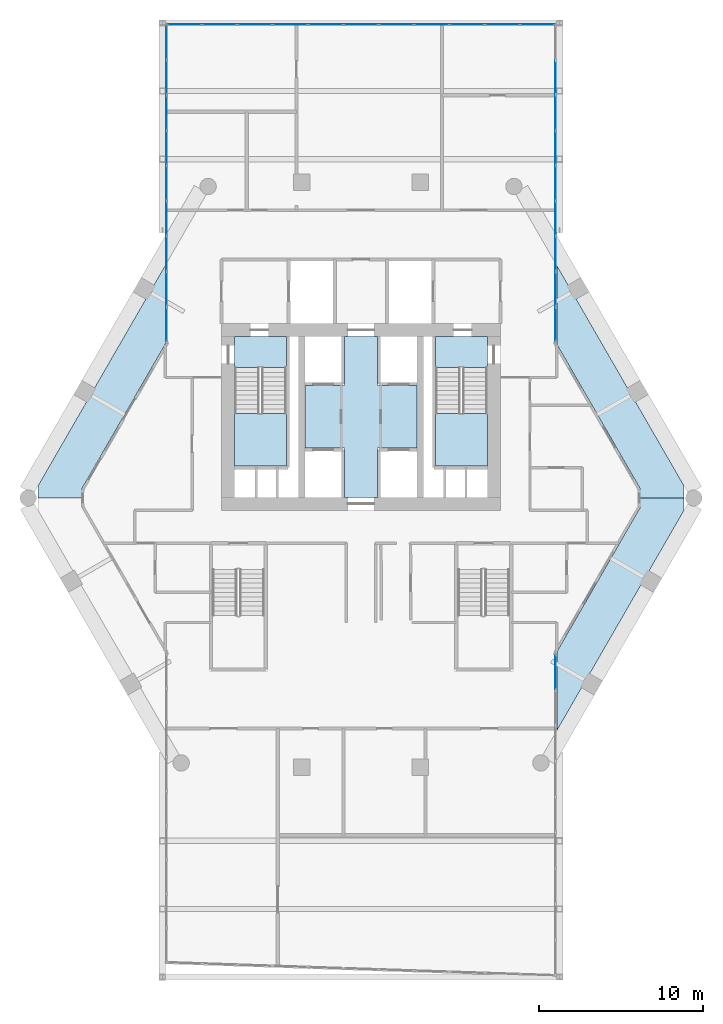
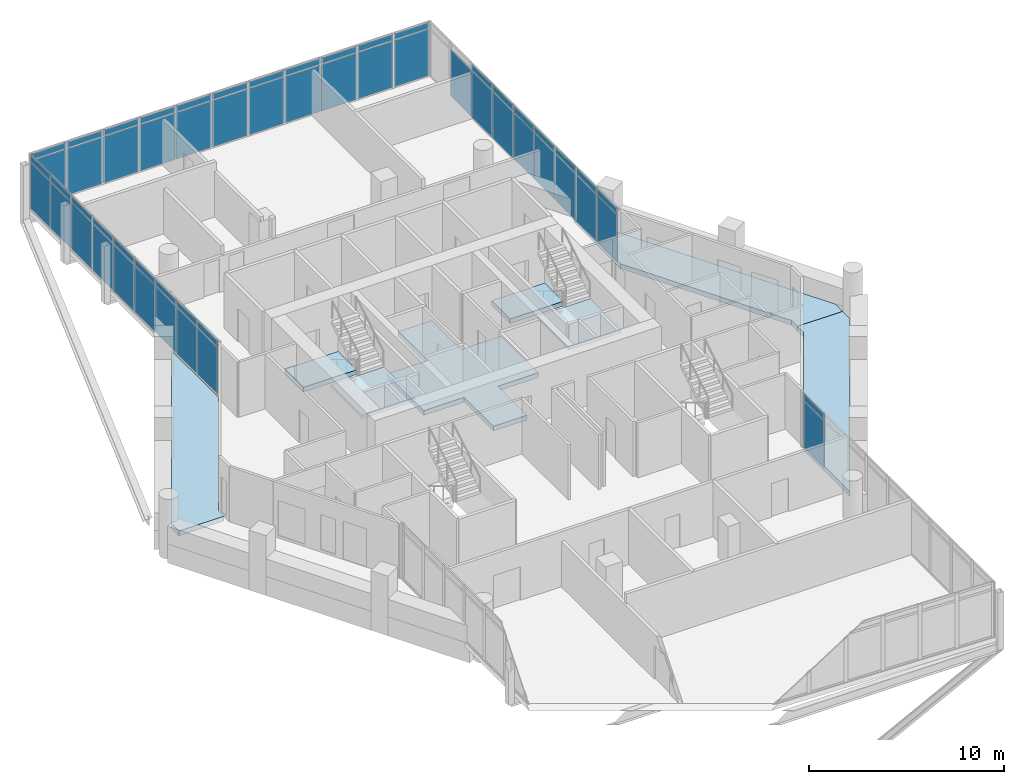
# One storey, part 30 of 38: 57 plates, 8 slabs, 6 elements without a shape of their own.
"""IFC4 building model written with IfcOpenShell, lengths in metres."""

from ifc_helpers import new_model, si_unit, direction, frame, origin, origin_2d, place, context, subcontext, project, spatial, polyline, rectangle, outline, extrude, material, layer, layer_set, type_object, element, aggregate, save


model = new_model("IFC4")

# Units and contexts
model_context = context("Model", 3, precision=1e-05, world=origin(), true_north=direction((0.0, 1.0)))
body_context = subcontext(model_context, "Body", "Model", "MODEL_VIEW")
ifc_project = project(units=[si_unit("LENGTHUNIT", "METRE"), si_unit("AREAUNIT", "SQUARE_METRE"), si_unit("VOLUMEUNIT", "CUBIC_METRE"), si_unit("PLANEANGLEUNIT", "RADIAN"), si_unit("MASSUNIT", "GRAM", prefix="KILO")], contexts=[model_context])

# Site, building, storey
site_placement = place(None, origin())
site = spatial("IfcSite", under=ifc_project, at=site_placement, CompositionType="ELEMENT")
building_placement = place(site_placement, origin())
building = spatial("IfcBuilding", under=site, at=building_placement, Name="Ostrander Bayou Hotel Tower", CompositionType="ELEMENT")
storey_placement = place(building_placement, frame((0.0, 0.0, 194.5)))
storey = spatial("IfcBuildingStorey", under=building, at=storey_placement, Name="L48", CompositionType="ELEMENT", Elevation=194.5)

# Curtain wall, plates
ifc_material_1 = material(Name="Aluminium and clear glass", Category="aluminium")
curtain_wall_type = type_object("IfcCurtainWallType", Name="CW-BAR glazed wall", PredefinedType="NOTDEFINED", material=ifc_material_1)
curtain_wall_1_placement = place(storey_placement, origin())
curtain_wall_1 = element("IfcCurtainWall", 1, at=curtain_wall_1_placement, inside=storey, type_object=curtain_wall_type, Name="CW-BAR L48:SB4S:W", PredefinedType="NOTDEFINED")
ifc_material_2 = material(Name="Clear laminated glass", Category="glass")
ifc_layer_1 = layer(ifc_material_2, 0.028076171875)
ifc_layer_set_1 = layer_set([ifc_layer_1], Name="CW-BR glazing panel 28 mm")
plate_type = type_object("IfcPlateType", Name="CW-BR glazing panel 28 mm", PredefinedType="CURTAIN_PANEL", material=ifc_layer_set_1)
plate_1_placement = place(storey_placement, frame((11.857177734375, -11.565673828125, 0.06005859375), z_axis=(0.0, 0.0, 1.0), x_axis=(0.0, -1.0, 0.0)))
plate_1 = element("IfcPlate", 2, at=plate_1_placement, type_object=plate_type, Name="CW-BAR panel 1.1", PredefinedType="CURTAIN_PANEL", context=body_context, shape_type="SweptSolid", body=[
    extrude(rectangle(XDim=2.086181640625, YDim=0.028076171875, at=origin_2d()), origin(), (0.0, 0.0, 1.0), 2.909912109375),
])
plate_2_placement = place(storey_placement, frame((11.857177734375, -11.565673828125, 3.02978515625), z_axis=(0.0, 0.0, 1.0), x_axis=(0.0, -1.0, 0.0)))
plate_2 = element("IfcPlate", 3, at=plate_2_placement, type_object=plate_type, Name="CW-BAR panel 1.2", PredefinedType="CURTAIN_PANEL", context=body_context, shape_type="SweptSolid", body=[
    extrude(rectangle(XDim=2.086181640625, YDim=0.028076171875, at=origin_2d()), origin(), (0.0, 0.0, 1.0), 0.360107421875),
])
aggregate(curtain_wall_1, [plate_1, plate_2])

curtain_wall_2_placement = place(storey_placement, origin())
curtain_wall_2 = element("IfcCurtainWall", 4, at=curtain_wall_2_placement, inside=storey, type_object=curtain_wall_type, Name="CW-BAR L48:SB4N:E", PredefinedType="NOTDEFINED")
plate_3_placement = place(storey_placement, frame((-11.857177734375, 9.654541015625, 0.06005859375), z_axis=(0.0, 0.0, 1.0), x_axis=(0.0, 1.0, 0.0)))
plate_3 = element("IfcPlate", 5, at=plate_3_placement, type_object=plate_type, Name="CW-BAR panel 1.1", PredefinedType="CURTAIN_PANEL", context=body_context, shape_type="SweptSolid", body=[
    extrude(rectangle(XDim=2.060302734375, YDim=0.028076171875, at=origin_2d()), origin(), (0.0, 0.0, 1.0), 2.909912109375),
])
plate_4_placement = place(storey_placement, frame((-11.857177734375, 9.654541015625, 3.02978515625), z_axis=(0.0, 0.0, 1.0), x_axis=(0.0, 1.0, 0.0)))
plate_4 = element("IfcPlate", 6, at=plate_4_placement, type_object=plate_type, Name="CW-BAR panel 1.2", PredefinedType="CURTAIN_PANEL", context=body_context, shape_type="SweptSolid", body=[
    extrude(rectangle(XDim=2.060302734375, YDim=0.028076171875, at=origin_2d()), origin(), (0.0, 0.0, 1.0), 0.360107421875),
])
plate_5_placement = place(storey_placement, frame((-11.857177734375, 11.789794921875, 0.06005859375), z_axis=(0.0, 0.0, 1.0), x_axis=(0.0, 1.0, 0.0)))
plate_5 = element("IfcPlate", 7, at=plate_5_placement, type_object=plate_type, Name="CW-BAR panel 2.1", PredefinedType="CURTAIN_PANEL", context=body_context, shape_type="SweptSolid", body=[
    extrude(rectangle(XDim=2.090087890625, YDim=0.028076171875, at=origin_2d()), origin(), (0.0, 0.0, 1.0), 2.909912109375),
])
plate_6_placement = place(storey_placement, frame((-11.857177734375, 11.789794921875, 3.02978515625), z_axis=(0.0, 0.0, 1.0), x_axis=(0.0, 1.0, 0.0)))
plate_6 = element("IfcPlate", 8, at=plate_6_placement, type_object=plate_type, Name="CW-BAR panel 2.2", PredefinedType="CURTAIN_PANEL", context=body_context, shape_type="SweptSolid", body=[
    extrude(rectangle(XDim=2.090087890625, YDim=0.028076171875, at=origin_2d()), origin(), (0.0, 0.0, 1.0), 0.360107421875),
])
plate_7_placement = place(storey_placement, frame((-11.857177734375, 13.93994140625, 0.06005859375), z_axis=(0.0, 0.0, 1.0), x_axis=(0.0, 1.0, 0.0)))
plate_7 = element("IfcPlate", 9, at=plate_7_placement, type_object=plate_type, Name="CW-BAR panel 3.1", PredefinedType="CURTAIN_PANEL", context=body_context, shape_type="SweptSolid", body=[
    extrude(rectangle(XDim=2.090087890625, YDim=0.028076171875, at=origin_2d()), origin(), (0.0, 0.0, 1.0), 2.909912109375),
])
plate_8_placement = place(storey_placement, frame((-11.857177734375, 13.93994140625, 3.02978515625), z_axis=(0.0, 0.0, 1.0), x_axis=(0.0, 1.0, 0.0)))
plate_8 = element("IfcPlate", 10, at=plate_8_placement, type_object=plate_type, Name="CW-BAR panel 3.2", PredefinedType="CURTAIN_PANEL", context=body_context, shape_type="SweptSolid", body=[
    extrude(rectangle(XDim=2.090087890625, YDim=0.028076171875, at=origin_2d()), origin(), (0.0, 0.0, 1.0), 0.360107421875),
])
plate_9_placement = place(storey_placement, frame((-11.857177734375, 16.090087890625, 0.06005859375), z_axis=(0.0, 0.0, 1.0), x_axis=(0.0, 1.0, 0.0)))
plate_9 = element("IfcPlate", 11, at=plate_9_placement, type_object=plate_type, Name="CW-BAR panel 4.1", PredefinedType="CURTAIN_PANEL", context=body_context, shape_type="SweptSolid", body=[
    extrude(rectangle(XDim=2.090087890625, YDim=0.028076171875, at=origin_2d()), origin(), (0.0, 0.0, 1.0), 2.909912109375),
])
plate_10_placement = place(storey_placement, frame((-11.857177734375, 16.090087890625, 3.02978515625), z_axis=(0.0, 0.0, 1.0), x_axis=(0.0, 1.0, 0.0)))
plate_10 = element("IfcPlate", 12, at=plate_10_placement, type_object=plate_type, Name="CW-BAR panel 4.2", PredefinedType="CURTAIN_PANEL", context=body_context, shape_type="SweptSolid", body=[
    extrude(rectangle(XDim=2.090087890625, YDim=0.028076171875, at=origin_2d()), origin(), (0.0, 0.0, 1.0), 0.360107421875),
])
plate_11_placement = place(storey_placement, frame((-11.857177734375, 18.240234375, 0.06005859375), z_axis=(0.0, 0.0, 1.0), x_axis=(0.0, 1.0, 0.0)))
plate_11 = element("IfcPlate", 13, at=plate_11_placement, type_object=plate_type, Name="CW-BAR panel 5.1", PredefinedType="CURTAIN_PANEL", context=body_context, shape_type="SweptSolid", body=[
    extrude(rectangle(XDim=2.090087890625, YDim=0.028076171875, at=origin_2d()), origin(), (0.0, 0.0, 1.0), 2.909912109375),
])
plate_12_placement = place(storey_placement, frame((-11.857177734375, 18.240234375, 3.02978515625), z_axis=(0.0, 0.0, 1.0), x_axis=(0.0, 1.0, 0.0)))
plate_12 = element("IfcPlate", 14, at=plate_12_placement, type_object=plate_type, Name="CW-BAR panel 5.2", PredefinedType="CURTAIN_PANEL", context=body_context, shape_type="SweptSolid", body=[
    extrude(rectangle(XDim=2.090087890625, YDim=0.028076171875, at=origin_2d()), origin(), (0.0, 0.0, 1.0), 0.360107421875),
])
plate_13_placement = place(storey_placement, frame((-11.857177734375, 20.390380859375, 0.06005859375), z_axis=(0.0, 0.0, 1.0), x_axis=(0.0, 1.0, 0.0)))
plate_13 = element("IfcPlate", 15, at=plate_13_placement, type_object=plate_type, Name="CW-BAR panel 6.1", PredefinedType="CURTAIN_PANEL", context=body_context, shape_type="SweptSolid", body=[
    extrude(rectangle(XDim=2.090087890625, YDim=0.028076171875, at=origin_2d()), origin(), (0.0, 0.0, 1.0), 2.909912109375),
])
plate_14_placement = place(storey_placement, frame((-11.857177734375, 20.390380859375, 3.02978515625), z_axis=(0.0, 0.0, 1.0), x_axis=(0.0, 1.0, 0.0)))
plate_14 = element("IfcPlate", 16, at=plate_14_placement, type_object=plate_type, Name="CW-BAR panel 6.2", PredefinedType="CURTAIN_PANEL", context=body_context, shape_type="SweptSolid", body=[
    extrude(rectangle(XDim=2.090087890625, YDim=0.028076171875, at=origin_2d()), origin(), (0.0, 0.0, 1.0), 0.360107421875),
])
plate_15_placement = place(storey_placement, frame((-11.857177734375, 22.54052734375, 0.06005859375), z_axis=(0.0, 0.0, 1.0), x_axis=(0.0, 1.0, 0.0)))
plate_15 = element("IfcPlate", 17, at=plate_15_placement, type_object=plate_type, Name="CW-BAR panel 7.1", PredefinedType="CURTAIN_PANEL", context=body_context, shape_type="SweptSolid", body=[
    extrude(rectangle(XDim=2.090087890625, YDim=0.028076171875, at=origin_2d()), origin(), (0.0, 0.0, 1.0), 2.909912109375),
])
plate_16_placement = place(storey_placement, frame((-11.857177734375, 22.54052734375, 3.02978515625), z_axis=(0.0, 0.0, 1.0), x_axis=(0.0, 1.0, 0.0)))
plate_16 = element("IfcPlate", 18, at=plate_16_placement, type_object=plate_type, Name="CW-BAR panel 7.2", PredefinedType="CURTAIN_PANEL", context=body_context, shape_type="SweptSolid", body=[
    extrude(rectangle(XDim=2.090087890625, YDim=0.028076171875, at=origin_2d()), origin(), (0.0, 0.0, 1.0), 0.360107421875),
])
plate_17_placement = place(storey_placement, frame((-11.857177734375, 24.69091796875, 0.06005859375), z_axis=(0.0, 0.0, 1.0), x_axis=(0.0, 1.0, 0.0)))
plate_17 = element("IfcPlate", 19, at=plate_17_placement, type_object=plate_type, Name="CW-BAR panel 8.1", PredefinedType="CURTAIN_PANEL", context=body_context, shape_type="SweptSolid", body=[
    extrude(rectangle(XDim=2.090087890625, YDim=0.028076171875, at=origin_2d()), origin(), (0.0, 0.0, 1.0), 2.909912109375),
])
plate_18_placement = place(storey_placement, frame((-11.857177734375, 24.69091796875, 3.02978515625), z_axis=(0.0, 0.0, 1.0), x_axis=(0.0, 1.0, 0.0)))
plate_18 = element("IfcPlate", 20, at=plate_18_placement, type_object=plate_type, Name="CW-BAR panel 8.2", PredefinedType="CURTAIN_PANEL", context=body_context, shape_type="SweptSolid", body=[
    extrude(rectangle(XDim=2.090087890625, YDim=0.028076171875, at=origin_2d()), origin(), (0.0, 0.0, 1.0), 0.360107421875),
])
plate_19_placement = place(storey_placement, frame((-11.857177734375, 26.825927734375, 0.06005859375), z_axis=(0.0, 0.0, 1.0), x_axis=(0.0, 1.0, 0.0)))
plate_19 = element("IfcPlate", 21, at=plate_19_placement, type_object=plate_type, Name="CW-BAR panel 9.1", PredefinedType="CURTAIN_PANEL", context=body_context, shape_type="SweptSolid", body=[
    extrude(rectangle(XDim=2.060302734375, YDim=0.028076171875, at=origin_2d()), origin(), (0.0, 0.0, 1.0), 2.909912109375),
])
plate_20_placement = place(storey_placement, frame((-11.857177734375, 26.825927734375, 3.02978515625), z_axis=(0.0, 0.0, 1.0), x_axis=(0.0, 1.0, 0.0)))
plate_20 = element("IfcPlate", 22, at=plate_20_placement, type_object=plate_type, Name="CW-BAR panel 9.2", PredefinedType="CURTAIN_PANEL", context=body_context, shape_type="SweptSolid", body=[
    extrude(rectangle(XDim=2.060302734375, YDim=0.028076171875, at=origin_2d()), origin(), (0.0, 0.0, 1.0), 0.360107421875),
])
aggregate(curtain_wall_2, [plate_3, plate_4, plate_5, plate_6, plate_7, plate_8, plate_9, plate_10, plate_11, plate_12, plate_13, plate_14, plate_15, plate_16, plate_17, plate_18, plate_19, plate_20])

curtain_wall_3_placement = place(storey_placement, origin())
curtain_wall_3 = element("IfcCurtainWall", 23, at=curtain_wall_3_placement, inside=storey, type_object=curtain_wall_type, Name="CW-BAR L48:SB4N:T", PredefinedType="NOTDEFINED")
plate_21_placement = place(storey_placement, frame((-10.76416015625, 27.916015625, 0.06005859375), z_axis=(0.0, 0.0, 1.0), x_axis=(1.0, 0.0, 0.0)))
plate_21 = element("IfcPlate", 24, at=plate_21_placement, type_object=plate_type, Name="CW-BAR panel 1.1", PredefinedType="CURTAIN_PANEL", context=body_context, shape_type="SweptSolid", body=[
    extrude(rectangle(XDim=2.06591796875, YDim=0.028076171875, at=origin_2d()), origin(), (0.0, 0.0, 1.0), 2.909912109375),
])
plate_22_placement = place(storey_placement, frame((-10.76416015625, 27.916015625, 3.02978515625), z_axis=(0.0, 0.0, 1.0), x_axis=(1.0, 0.0, 0.0)))
plate_22 = element("IfcPlate", 25, at=plate_22_placement, type_object=plate_type, Name="CW-BAR panel 1.2", PredefinedType="CURTAIN_PANEL", context=body_context, shape_type="SweptSolid", body=[
    extrude(rectangle(XDim=2.06591796875, YDim=0.028076171875, at=origin_2d()), origin(), (0.0, 0.0, 1.0), 0.360107421875),
])
plate_23_placement = place(storey_placement, frame((-8.62353515625, 27.916015625, 0.06005859375), z_axis=(0.0, 0.0, 1.0), x_axis=(1.0, 0.0, 0.0)))
plate_23 = element("IfcPlate", 26, at=plate_23_placement, type_object=plate_type, Name="CW-BAR panel 2.1", PredefinedType="CURTAIN_PANEL", context=body_context, shape_type="SweptSolid", body=[
    extrude(rectangle(XDim=2.095947265625, YDim=0.028076171875, at=origin_2d()), origin(), (0.0, 0.0, 1.0), 2.909912109375),
])
plate_24_placement = place(storey_placement, frame((-8.62353515625, 27.916015625, 3.02978515625), z_axis=(0.0, 0.0, 1.0), x_axis=(1.0, 0.0, 0.0)))
plate_24 = element("IfcPlate", 27, at=plate_24_placement, type_object=plate_type, Name="CW-BAR panel 2.2", PredefinedType="CURTAIN_PANEL", context=body_context, shape_type="SweptSolid", body=[
    extrude(rectangle(XDim=2.095947265625, YDim=0.028076171875, at=origin_2d()), origin(), (0.0, 0.0, 1.0), 0.360107421875),
])
plate_25_placement = place(storey_placement, frame((-6.467529296875, 27.916015625, 0.06005859375), z_axis=(0.0, 0.0, 1.0), x_axis=(1.0, 0.0, 0.0)))
plate_25 = element("IfcPlate", 28, at=plate_25_placement, type_object=plate_type, Name="CW-BAR panel 3.1", PredefinedType="CURTAIN_PANEL", context=body_context, shape_type="SweptSolid", body=[
    extrude(rectangle(XDim=2.095947265625, YDim=0.028076171875, at=origin_2d()), origin(), (0.0, 0.0, 1.0), 2.909912109375),
])
plate_26_placement = place(storey_placement, frame((-6.467529296875, 27.916015625, 3.02978515625), z_axis=(0.0, 0.0, 1.0), x_axis=(1.0, 0.0, 0.0)))
plate_26 = element("IfcPlate", 29, at=plate_26_placement, type_object=plate_type, Name="CW-BAR panel 3.2", PredefinedType="CURTAIN_PANEL", context=body_context, shape_type="SweptSolid", body=[
    extrude(rectangle(XDim=2.095947265625, YDim=0.028076171875, at=origin_2d()), origin(), (0.0, 0.0, 1.0), 0.360107421875),
])
plate_27_placement = place(storey_placement, frame((-4.311767578125, 27.916015625, 0.06005859375), z_axis=(0.0, 0.0, 1.0), x_axis=(1.0, 0.0, 0.0)))
plate_27 = element("IfcPlate", 30, at=plate_27_placement, type_object=plate_type, Name="CW-BAR panel 4.1", PredefinedType="CURTAIN_PANEL", context=body_context, shape_type="SweptSolid", body=[
    extrude(rectangle(XDim=2.095947265625, YDim=0.028076171875, at=origin_2d()), origin(), (0.0, 0.0, 1.0), 2.909912109375),
])
plate_28_placement = place(storey_placement, frame((-4.311767578125, 27.916015625, 3.02978515625), z_axis=(0.0, 0.0, 1.0), x_axis=(1.0, 0.0, 0.0)))
plate_28 = element("IfcPlate", 31, at=plate_28_placement, type_object=plate_type, Name="CW-BAR panel 4.2", PredefinedType="CURTAIN_PANEL", context=body_context, shape_type="SweptSolid", body=[
    extrude(rectangle(XDim=2.095947265625, YDim=0.028076171875, at=origin_2d()), origin(), (0.0, 0.0, 1.0), 0.360107421875),
])
plate_29_placement = place(storey_placement, frame((-2.15576171875, 27.916015625, 0.06005859375), z_axis=(0.0, 0.0, 1.0), x_axis=(1.0, 0.0, 0.0)))
plate_29 = element("IfcPlate", 32, at=plate_29_placement, type_object=plate_type, Name="CW-BAR panel 5.1", PredefinedType="CURTAIN_PANEL", context=body_context, shape_type="SweptSolid", body=[
    extrude(rectangle(XDim=2.095947265625, YDim=0.028076171875, at=origin_2d()), origin(), (0.0, 0.0, 1.0), 2.909912109375),
])
plate_30_placement = place(storey_placement, frame((-2.15576171875, 27.916015625, 3.02978515625), z_axis=(0.0, 0.0, 1.0), x_axis=(1.0, 0.0, 0.0)))
plate_30 = element("IfcPlate", 33, at=plate_30_placement, type_object=plate_type, Name="CW-BAR panel 5.2", PredefinedType="CURTAIN_PANEL", context=body_context, shape_type="SweptSolid", body=[
    extrude(rectangle(XDim=2.095947265625, YDim=0.028076171875, at=origin_2d()), origin(), (0.0, 0.0, 1.0), 0.360107421875),
])
plate_31_placement = place(storey_placement, frame((0.0, 27.916015625, 0.06005859375), z_axis=(0.0, 0.0, 1.0), x_axis=(1.0, 0.0, 0.0)))
plate_31 = element("IfcPlate", 34, at=plate_31_placement, type_object=plate_type, Name="CW-BAR panel 6.1", PredefinedType="CURTAIN_PANEL", context=body_context, shape_type="SweptSolid", body=[
    extrude(rectangle(XDim=2.095947265625, YDim=0.028076171875, at=origin_2d()), origin(), (0.0, 0.0, 1.0), 2.909912109375),
])
plate_32_placement = place(storey_placement, frame((0.0, 27.916015625, 3.02978515625), z_axis=(0.0, 0.0, 1.0), x_axis=(1.0, 0.0, 0.0)))
plate_32 = element("IfcPlate", 35, at=plate_32_placement, type_object=plate_type, Name="CW-BAR panel 6.2", PredefinedType="CURTAIN_PANEL", context=body_context, shape_type="SweptSolid", body=[
    extrude(rectangle(XDim=2.095947265625, YDim=0.028076171875, at=origin_2d()), origin(), (0.0, 0.0, 1.0), 0.360107421875),
])
plate_33_placement = place(storey_placement, frame((2.15576171875, 27.916015625, 0.06005859375), z_axis=(0.0, 0.0, 1.0), x_axis=(1.0, 0.0, 0.0)))
plate_33 = element("IfcPlate", 36, at=plate_33_placement, type_object=plate_type, Name="CW-BAR panel 7.1", PredefinedType="CURTAIN_PANEL", context=body_context, shape_type="SweptSolid", body=[
    extrude(rectangle(XDim=2.095947265625, YDim=0.028076171875, at=origin_2d()), origin(), (0.0, 0.0, 1.0), 2.909912109375),
])
plate_34_placement = place(storey_placement, frame((2.15576171875, 27.916015625, 3.02978515625), z_axis=(0.0, 0.0, 1.0), x_axis=(1.0, 0.0, 0.0)))
plate_34 = element("IfcPlate", 37, at=plate_34_placement, type_object=plate_type, Name="CW-BAR panel 7.2", PredefinedType="CURTAIN_PANEL", context=body_context, shape_type="SweptSolid", body=[
    extrude(rectangle(XDim=2.095947265625, YDim=0.028076171875, at=origin_2d()), origin(), (0.0, 0.0, 1.0), 0.360107421875),
])
plate_35_placement = place(storey_placement, frame((4.311767578125, 27.916015625, 0.06005859375), z_axis=(0.0, 0.0, 1.0), x_axis=(1.0, 0.0, 0.0)))
plate_35 = element("IfcPlate", 38, at=plate_35_placement, type_object=plate_type, Name="CW-BAR panel 8.1", PredefinedType="CURTAIN_PANEL", context=body_context, shape_type="SweptSolid", body=[
    extrude(rectangle(XDim=2.095947265625, YDim=0.028076171875, at=origin_2d()), origin(), (0.0, 0.0, 1.0), 2.909912109375),
])
plate_36_placement = place(storey_placement, frame((4.311767578125, 27.916015625, 3.02978515625), z_axis=(0.0, 0.0, 1.0), x_axis=(1.0, 0.0, 0.0)))
plate_36 = element("IfcPlate", 39, at=plate_36_placement, type_object=plate_type, Name="CW-BAR panel 8.2", PredefinedType="CURTAIN_PANEL", context=body_context, shape_type="SweptSolid", body=[
    extrude(rectangle(XDim=2.095947265625, YDim=0.028076171875, at=origin_2d()), origin(), (0.0, 0.0, 1.0), 0.360107421875),
])
plate_37_placement = place(storey_placement, frame((6.467529296875, 27.916015625, 0.06005859375), z_axis=(0.0, 0.0, 1.0), x_axis=(1.0, 0.0, 0.0)))
plate_37 = element("IfcPlate", 40, at=plate_37_placement, type_object=plate_type, Name="CW-BAR panel 9.1", PredefinedType="CURTAIN_PANEL", context=body_context, shape_type="SweptSolid", body=[
    extrude(rectangle(XDim=2.095947265625, YDim=0.028076171875, at=origin_2d()), origin(), (0.0, 0.0, 1.0), 2.909912109375),
])
plate_38_placement = place(storey_placement, frame((6.467529296875, 27.916015625, 3.02978515625), z_axis=(0.0, 0.0, 1.0), x_axis=(1.0, 0.0, 0.0)))
plate_38 = element("IfcPlate", 41, at=plate_38_placement, type_object=plate_type, Name="CW-BAR panel 9.2", PredefinedType="CURTAIN_PANEL", context=body_context, shape_type="SweptSolid", body=[
    extrude(rectangle(XDim=2.095947265625, YDim=0.028076171875, at=origin_2d()), origin(), (0.0, 0.0, 1.0), 0.360107421875),
])
plate_39_placement = place(storey_placement, frame((8.62353515625, 27.916015625, 0.06005859375), z_axis=(0.0, 0.0, 1.0), x_axis=(1.0, 0.0, 0.0)))
plate_39 = element("IfcPlate", 42, at=plate_39_placement, type_object=plate_type, Name="CW-BAR panel 10.1", PredefinedType="CURTAIN_PANEL", context=body_context, shape_type="SweptSolid", body=[
    extrude(rectangle(XDim=2.095947265625, YDim=0.028076171875, at=origin_2d()), origin(), (0.0, 0.0, 1.0), 2.909912109375),
])
plate_40_placement = place(storey_placement, frame((8.62353515625, 27.916015625, 3.02978515625), z_axis=(0.0, 0.0, 1.0), x_axis=(1.0, 0.0, 0.0)))
plate_40 = element("IfcPlate", 43, at=plate_40_placement, type_object=plate_type, Name="CW-BAR panel 10.2", PredefinedType="CURTAIN_PANEL", context=body_context, shape_type="SweptSolid", body=[
    extrude(rectangle(XDim=2.095947265625, YDim=0.028076171875, at=origin_2d()), origin(), (0.0, 0.0, 1.0), 0.360107421875),
])
plate_41_placement = place(storey_placement, frame((10.76416015625, 27.916015625, 0.06005859375), z_axis=(0.0, 0.0, 1.0), x_axis=(1.0, 0.0, 0.0)))
plate_41 = element("IfcPlate", 44, at=plate_41_placement, type_object=plate_type, Name="CW-BAR panel 11.1", PredefinedType="CURTAIN_PANEL", context=body_context, shape_type="SweptSolid", body=[
    extrude(rectangle(XDim=2.06591796875, YDim=0.028076171875, at=origin_2d()), origin(), (0.0, 0.0, 1.0), 2.909912109375),
])
plate_42_placement = place(storey_placement, frame((10.76416015625, 27.916015625, 3.02978515625), z_axis=(0.0, 0.0, 1.0), x_axis=(1.0, 0.0, 0.0)))
plate_42 = element("IfcPlate", 45, at=plate_42_placement, type_object=plate_type, Name="CW-BAR panel 11.2", PredefinedType="CURTAIN_PANEL", context=body_context, shape_type="SweptSolid", body=[
    extrude(rectangle(XDim=2.06591796875, YDim=0.028076171875, at=origin_2d()), origin(), (0.0, 0.0, 1.0), 0.360107421875),
])
aggregate(curtain_wall_3, [plate_21, plate_22, plate_23, plate_24, plate_25, plate_26, plate_27, plate_28, plate_29, plate_30, plate_31, plate_32, plate_33, plate_34, plate_35, plate_36, plate_37, plate_38, plate_39, plate_40, plate_41, plate_42])

curtain_wall_4_placement = place(storey_placement, origin())
curtain_wall_4 = element("IfcCurtainWall", 46, at=curtain_wall_4_placement, inside=storey, type_object=curtain_wall_type, Name="CW-BAR L48:SB4N:W", PredefinedType="NOTDEFINED")
plate_43_placement = place(storey_placement, frame((11.857177734375, 9.654541015625, 0.06005859375), z_axis=(0.0, 0.0, 1.0), x_axis=(0.0, 1.0, 0.0)))
plate_43 = element("IfcPlate", 47, at=plate_43_placement, type_object=plate_type, Name="CW-BAR panel 1.1", PredefinedType="CURTAIN_PANEL", context=body_context, shape_type="SweptSolid", body=[
    extrude(rectangle(XDim=2.060302734375, YDim=0.028076171875, at=origin_2d()), origin(), (0.0, 0.0, 1.0), 2.909912109375),
])
plate_44_placement = place(storey_placement, frame((11.857177734375, 9.654541015625, 3.02978515625), z_axis=(0.0, 0.0, 1.0), x_axis=(0.0, 1.0, 0.0)))
plate_44 = element("IfcPlate", 48, at=plate_44_placement, type_object=plate_type, Name="CW-BAR panel 1.2", PredefinedType="CURTAIN_PANEL", context=body_context, shape_type="SweptSolid", body=[
    extrude(rectangle(XDim=2.060302734375, YDim=0.028076171875, at=origin_2d()), origin(), (0.0, 0.0, 1.0), 0.360107421875),
])
plate_45_placement = place(storey_placement, frame((11.857177734375, 11.789794921875, 0.06005859375), z_axis=(0.0, 0.0, 1.0), x_axis=(0.0, 1.0, 0.0)))
plate_45 = element("IfcPlate", 49, at=plate_45_placement, type_object=plate_type, Name="CW-BAR panel 2.1", PredefinedType="CURTAIN_PANEL", context=body_context, shape_type="SweptSolid", body=[
    extrude(rectangle(XDim=2.090087890625, YDim=0.028076171875, at=origin_2d()), origin(), (0.0, 0.0, 1.0), 2.909912109375),
])
plate_46_placement = place(storey_placement, frame((11.857177734375, 11.789794921875, 3.02978515625), z_axis=(0.0, 0.0, 1.0), x_axis=(0.0, 1.0, 0.0)))
plate_46 = element("IfcPlate", 50, at=plate_46_placement, type_object=plate_type, Name="CW-BAR panel 2.2", PredefinedType="CURTAIN_PANEL", context=body_context, shape_type="SweptSolid", body=[
    extrude(rectangle(XDim=2.090087890625, YDim=0.028076171875, at=origin_2d()), origin(), (0.0, 0.0, 1.0), 0.360107421875),
])
plate_47_placement = place(storey_placement, frame((11.857177734375, 13.93994140625, 0.06005859375), z_axis=(0.0, 0.0, 1.0), x_axis=(0.0, 1.0, 0.0)))
plate_47 = element("IfcPlate", 51, at=plate_47_placement, type_object=plate_type, Name="CW-BAR panel 3.1", PredefinedType="CURTAIN_PANEL", context=body_context, shape_type="SweptSolid", body=[
    extrude(rectangle(XDim=2.090087890625, YDim=0.028076171875, at=origin_2d()), origin(), (0.0, 0.0, 1.0), 2.909912109375),
])
plate_48_placement = place(storey_placement, frame((11.857177734375, 13.93994140625, 3.02978515625), z_axis=(0.0, 0.0, 1.0), x_axis=(0.0, 1.0, 0.0)))
plate_48 = element("IfcPlate", 52, at=plate_48_placement, type_object=plate_type, Name="CW-BAR panel 3.2", PredefinedType="CURTAIN_PANEL", context=body_context, shape_type="SweptSolid", body=[
    extrude(rectangle(XDim=2.090087890625, YDim=0.028076171875, at=origin_2d()), origin(), (0.0, 0.0, 1.0), 0.360107421875),
])
plate_49_placement = place(storey_placement, frame((11.857177734375, 16.090087890625, 0.06005859375), z_axis=(0.0, 0.0, 1.0), x_axis=(0.0, 1.0, 0.0)))
plate_49 = element("IfcPlate", 53, at=plate_49_placement, type_object=plate_type, Name="CW-BAR panel 4.1", PredefinedType="CURTAIN_PANEL", context=body_context, shape_type="SweptSolid", body=[
    extrude(rectangle(XDim=2.090087890625, YDim=0.028076171875, at=origin_2d()), origin(), (0.0, 0.0, 1.0), 2.909912109375),
])
plate_50_placement = place(storey_placement, frame((11.857177734375, 16.090087890625, 3.02978515625), z_axis=(0.0, 0.0, 1.0), x_axis=(0.0, 1.0, 0.0)))
plate_50 = element("IfcPlate", 54, at=plate_50_placement, type_object=plate_type, Name="CW-BAR panel 4.2", PredefinedType="CURTAIN_PANEL", context=body_context, shape_type="SweptSolid", body=[
    extrude(rectangle(XDim=2.090087890625, YDim=0.028076171875, at=origin_2d()), origin(), (0.0, 0.0, 1.0), 0.360107421875),
])
plate_51_placement = place(storey_placement, frame((11.857177734375, 18.240234375, 0.06005859375), z_axis=(0.0, 0.0, 1.0), x_axis=(0.0, 1.0, 0.0)))
plate_51 = element("IfcPlate", 55, at=plate_51_placement, type_object=plate_type, Name="CW-BAR panel 5.1", PredefinedType="CURTAIN_PANEL", context=body_context, shape_type="SweptSolid", body=[
    extrude(rectangle(XDim=2.090087890625, YDim=0.028076171875, at=origin_2d()), origin(), (0.0, 0.0, 1.0), 2.909912109375),
])
plate_52_placement = place(storey_placement, frame((11.857177734375, 18.240234375, 3.02978515625), z_axis=(0.0, 0.0, 1.0), x_axis=(0.0, 1.0, 0.0)))
plate_52 = element("IfcPlate", 56, at=plate_52_placement, type_object=plate_type, Name="CW-BAR panel 5.2", PredefinedType="CURTAIN_PANEL", context=body_context, shape_type="SweptSolid", body=[
    extrude(rectangle(XDim=2.090087890625, YDim=0.028076171875, at=origin_2d()), origin(), (0.0, 0.0, 1.0), 0.360107421875),
])
plate_53_placement = place(storey_placement, frame((11.857177734375, 20.390380859375, 0.06005859375), z_axis=(0.0, 0.0, 1.0), x_axis=(0.0, 1.0, 0.0)))
plate_53 = element("IfcPlate", 57, at=plate_53_placement, type_object=plate_type, Name="CW-BAR panel 6.1", PredefinedType="CURTAIN_PANEL", context=body_context, shape_type="SweptSolid", body=[
    extrude(rectangle(XDim=2.090087890625, YDim=0.028076171875, at=origin_2d()), origin(), (0.0, 0.0, 1.0), 2.909912109375),
])
plate_54_placement = place(storey_placement, frame((11.857177734375, 20.390380859375, 3.02978515625), z_axis=(0.0, 0.0, 1.0), x_axis=(0.0, 1.0, 0.0)))
plate_54 = element("IfcPlate", 58, at=plate_54_placement, type_object=plate_type, Name="CW-BAR panel 6.2", PredefinedType="CURTAIN_PANEL", context=body_context, shape_type="SweptSolid", body=[
    extrude(rectangle(XDim=2.090087890625, YDim=0.028076171875, at=origin_2d()), origin(), (0.0, 0.0, 1.0), 0.360107421875),
])
plate_55_placement = place(storey_placement, frame((11.857177734375, 22.54052734375, 0.06005859375), z_axis=(0.0, 0.0, 1.0), x_axis=(0.0, 1.0, 0.0)))
plate_55 = element("IfcPlate", 59, at=plate_55_placement, type_object=plate_type, Name="CW-BAR panel 7.1", PredefinedType="CURTAIN_PANEL", context=body_context, shape_type="SweptSolid", body=[
    extrude(rectangle(XDim=2.090087890625, YDim=0.028076171875, at=origin_2d()), origin(), (0.0, 0.0, 1.0), 2.909912109375),
])
plate_56_placement = place(storey_placement, frame((11.857177734375, 22.54052734375, 3.02978515625), z_axis=(0.0, 0.0, 1.0), x_axis=(0.0, 1.0, 0.0)))
plate_56 = element("IfcPlate", 60, at=plate_56_placement, type_object=plate_type, Name="CW-BAR panel 7.2", PredefinedType="CURTAIN_PANEL", context=body_context, shape_type="SweptSolid", body=[
    extrude(rectangle(XDim=2.090087890625, YDim=0.028076171875, at=origin_2d()), origin(), (0.0, 0.0, 1.0), 0.360107421875),
])
plate_57_placement = place(storey_placement, frame((11.857177734375, 24.69091796875, 0.06005859375), z_axis=(0.0, 0.0, 1.0), x_axis=(0.0, 1.0, 0.0)))
plate_57 = element("IfcPlate", 61, at=plate_57_placement, type_object=plate_type, Name="CW-BAR panel 8.1", PredefinedType="CURTAIN_PANEL", context=body_context, shape_type="SweptSolid", body=[
    extrude(rectangle(XDim=2.090087890625, YDim=0.028076171875, at=origin_2d()), origin(), (0.0, 0.0, 1.0), 2.909912109375),
])
aggregate(curtain_wall_4, [plate_43, plate_44, plate_45, plate_46, plate_47, plate_48, plate_49, plate_50, plate_51, plate_52, plate_53, plate_54, plate_55, plate_56, plate_57])

# Slabs
ifc_material_3 = material(Name="Concrete f'c 40 MPa", Category="concrete")
ifc_layer_2 = layer(ifc_material_3, 0.300048828125)
ifc_layer_set_2 = layer_set([ifc_layer_2], Name="SL1 floor slab 300 mm f'c 40 MPa")
slab_type_1 = type_object("IfcSlabType", Name="SL1 floor slab 300 mm f'c 40 MPa", PredefinedType="FLOOR", material=ifc_layer_set_2)
slab_1_placement = place(storey_placement, frame((0.0, 0.0, -0.300048828125)))
element("IfcSlab", 62, at=slab_1_placement, inside=storey, type_object=slab_type_1, Name="cslab:L48:001", PredefinedType="FLOOR", context=body_context, shape_type="SweptSolid", body=[
    extrude(outline(polyline([(-3.39990234375, 5.89990234375), (-1.0, 5.89990234375), (-1.0, 8.89990234375), (1.0, 8.89990234375), (1.0, 5.89990234375), (3.39990234375, 5.89990234375), (3.39990234375, 2.10009765625), (1.0, 2.10009765625), (1.0, -0.89990234375), (-1.0, -0.89990234375), (-1.0, 2.10009765625), (-3.39990234375, 2.10009765625), (-3.39990234375, 5.89990234375)])), origin(), (0.0, 0.0, 1.0), 0.300048828125),
])
slab_2_placement = place(storey_placement, frame((0.0, 0.0, -0.300048828125)))
element("IfcSlab", 63, at=slab_2_placement, inside=storey, type_object=slab_type_1, Name="cslab:L48:002", PredefinedType="FLOOR", context=body_context, shape_type="SweptSolid", body=[
    extrude(outline(polyline([(-4.550048828125, 7.0), (-4.550048828125, 8.89990234375), (-7.699951171875, 8.89990234375), (-7.699951171875, 7.0), (-4.550048828125, 7.0)])), origin(), (0.0, 0.0, 1.0), 0.300048828125),
])
slab_3_placement = place(storey_placement, frame((0.0, 0.0, -0.300048828125)))
element("IfcSlab", 64, at=slab_3_placement, inside=storey, type_object=slab_type_1, Name="cslab:L48:003", PredefinedType="FLOOR", context=body_context, shape_type="SweptSolid", body=[
    extrude(outline(polyline([(7.699951171875, 7.0), (7.699951171875, 8.89990234375), (4.550048828125, 8.89990234375), (4.550048828125, 7.0), (7.699951171875, 7.0)])), origin(), (0.0, 0.0, 1.0), 0.300048828125),
])
ifc_material_4 = material(Name="Concrete f'c 40 MPa", Category="concrete")
ifc_layer_3 = layer(ifc_material_4, 0.300048828125)
ifc_layer_set_3 = layer_set([ifc_layer_3], Name="SL4 loggia slab 300 mm f'c 40 MPa")
slab_type_2 = type_object("IfcSlabType", Name="SL4 loggia slab 300 mm f'c 40 MPa", PredefinedType="FLOOR", material=ifc_layer_set_3)
slab_4_placement = place(storey_placement, frame((0.0, 0.0, -0.300048828125)))
element("IfcSlab", 65, at=slab_4_placement, inside=storey, type_object=slab_type_2, Name="SL4 LOGGIA L48 NW 1", PredefinedType="FLOOR", context=body_context, shape_type="SweptSolid", body=[
    extrude(outline(polyline([(-11.93212890625, 13.234619140625), (-11.93212890625, 8.4345703125), (-17.00341796875, -0.34912109375), (-17.00341796875, -0.94921875), (-19.68798828125, -0.94921875), (-19.68798828125, -0.19921875), (-16.723876953125, 4.93505859375), (-16.25390625, 5.7490234375), (-13.105712890625, 11.20166015625), (-12.4326171875, 12.36767578125), (-11.93212890625, 13.234619140625)])), origin(), (0.0, 0.0, 1.0), 0.300048828125),
])
slab_5_placement = place(storey_placement, frame((0.0, 0.0, -0.300048828125)))
element("IfcSlab", 66, at=slab_5_placement, inside=storey, type_object=slab_type_2, Name="SL4 LOGGIA L48 SE 1", PredefinedType="FLOOR", context=body_context, shape_type="SweptSolid", body=[
    extrude(outline(polyline([(13.457763671875, -12.490478515625), (11.93212890625, -15.1328125), (11.93212890625, -10.332763671875), (17.00341796875, -1.54931640625), (17.00341796875, -0.94921875), (19.68798828125, -0.94921875), (19.68798828125, -1.69921875), (17.5458984375, -5.40966796875), (17.075927734375, -6.2236328125), (13.927734375, -11.67626953125), (13.457763671875, -12.490478515625)])), origin(), (0.0, 0.0, 1.0), 0.300048828125),
])
slab_6_placement = place(storey_placement, frame((0.0, 0.0, -0.300048828125)))
element("IfcSlab", 67, at=slab_6_placement, inside=storey, type_object=slab_type_2, Name="SL4 LOGGIA L48 NE 1", PredefinedType="FLOOR", context=body_context, shape_type="SweptSolid", body=[
    extrude(outline(polyline([(11.93212890625, 13.234619140625), (14.5498046875, 8.70068359375), (16.25390625, 5.7490234375), (16.723876953125, 4.93505859375), (19.68798828125, -0.19921875), (19.68798828125, -0.94921875), (17.00341796875, -0.94921875), (17.00341796875, -0.34912109375), (11.93212890625, 8.4345703125), (11.93212890625, 13.234619140625)])), origin(), (0.0, 0.0, 1.0), 0.300048828125),
])

# Stair, slab
ifc_material_5 = material(Name="Concrete f'c 45 MPa", Category="concrete")
stair_type = type_object("IfcStairType", Name="ST1 exit stair 1500 mm f'c 45 MPa", PredefinedType="HALF_TURN_STAIR", material=ifc_material_5)
stair_1_placement = place(storey_placement, origin())
stair_1 = element("IfcStair", 68, at=stair_1_placement, inside=storey, type_object=stair_type, Name="L48 exit stair A", PredefinedType="HALF_TURN_STAIR")
ifc_material_6 = material(Name="Concrete f'c 45 MPa", Category="concrete")
ifc_layer_4 = layer(ifc_material_6, 0.199951171875)
ifc_layer_set_4 = layer_set([ifc_layer_4], Name="SL8 stair landing 200 mm f'c 45 MPa")
slab_type_3 = type_object("IfcSlabType", Name="SL8 stair landing 200 mm f'c 45 MPa", PredefinedType="LANDING", material=ifc_layer_set_4)
slab_7_placement = place(storey_placement, frame((0.0, 0.0, 1.675048828125)))
slab_7 = element("IfcSlab", 69, at=slab_7_placement, type_object=slab_type_3, Name="STA landing 1", PredefinedType="LANDING", context=body_context, shape_type="SweptSolid", body=[
    extrude(outline(polyline([(-7.699951171875, 4.199951171875), (-7.699951171875, 1.0), (-4.550048828125, 1.0), (-4.550048828125, 4.199951171875), (-7.699951171875, 4.199951171875)])), origin(), (0.0, 0.0, 1.0), 0.199951171875),
])
aggregate(stair_1, [slab_7])

stair_2_placement = place(storey_placement, origin())
stair_2 = element("IfcStair", 70, at=stair_2_placement, inside=storey, type_object=stair_type, Name="L48 exit stair B", PredefinedType="HALF_TURN_STAIR")
slab_8_placement = place(storey_placement, frame((0.0, 0.0, 1.675048828125)))
slab_8 = element("IfcSlab", 71, at=slab_8_placement, type_object=slab_type_3, Name="STB landing 1", PredefinedType="LANDING", context=body_context, shape_type="SweptSolid", body=[
    extrude(outline(polyline([(4.550048828125, 4.199951171875), (4.550048828125, 1.0), (7.699951171875, 1.0), (7.699951171875, 4.199951171875), (4.550048828125, 4.199951171875)])), origin(), (0.0, 0.0, 1.0), 0.199951171875),
])
aggregate(stair_2, [slab_8])

save(model, "model.ifc")
